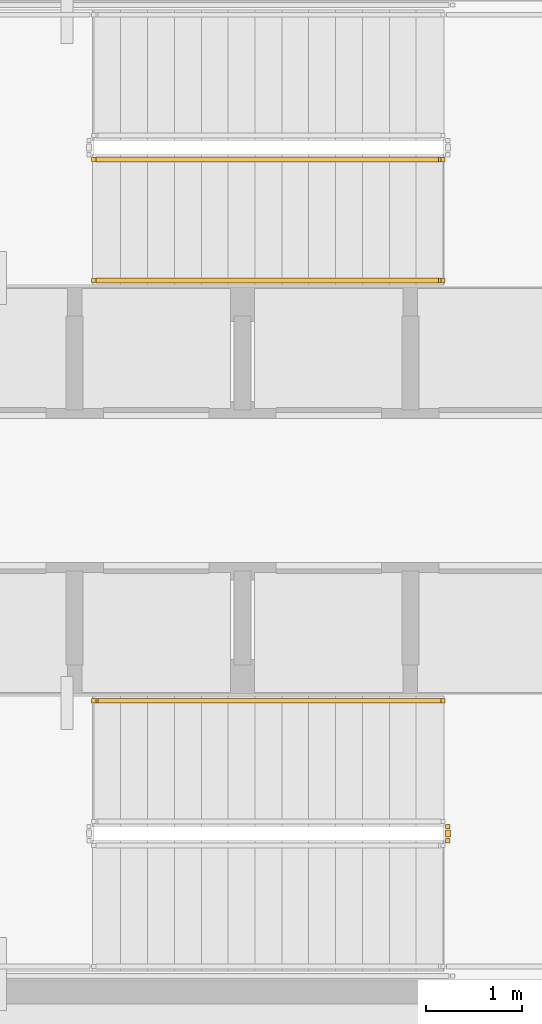
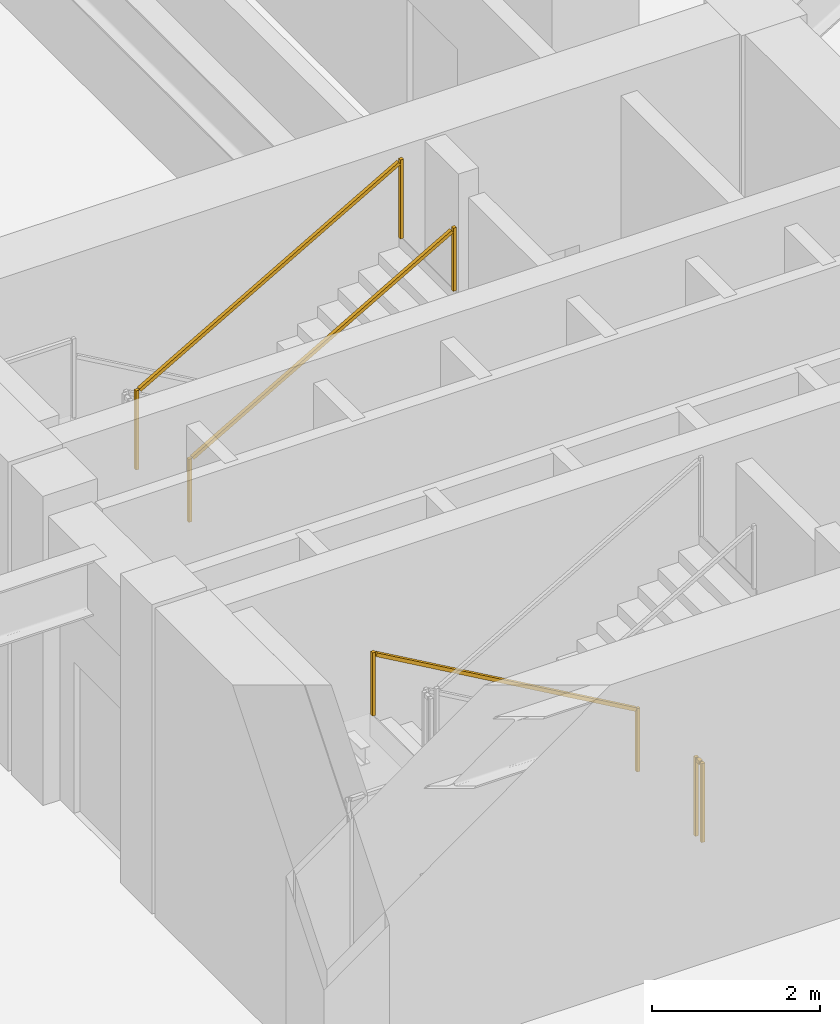
# One storey, part 12 of 18: 4 railings.
"""IFC4 building model written with IfcOpenShell, lengths in metres."""

from ifc_helpers import new_model, si_unit, direction, frame, origin, origin_2d, place, context, subcontext, project, spatial, rectangle, extrude, material, type_object, element, save


model = new_model("IFC4")

# Units and contexts
model_context = context("Model", 3, precision=1e-05, world=origin(), true_north=direction((0.0, 1.0)))
body_context = subcontext(model_context, "Body", "Model", "MODEL_VIEW")
ifc_project = project(units=[si_unit("LENGTHUNIT", "METRE"), si_unit("AREAUNIT", "SQUARE_METRE"), si_unit("VOLUMEUNIT", "CUBIC_METRE"), si_unit("PLANEANGLEUNIT", "RADIAN"), si_unit("MASSUNIT", "GRAM", prefix="KILO")], contexts=[model_context])

# Site, building, storey
site_placement = place(None, origin())
site = spatial("IfcSite", under=ifc_project, at=site_placement, CompositionType="ELEMENT")
building_placement = place(site_placement, origin())
building = spatial("IfcBuilding", under=site, at=building_placement, Name="Yunling Apex Tower", CompositionType="ELEMENT")
storey_placement = place(building_placement, origin())
storey = spatial("IfcBuildingStorey", under=building, at=storey_placement, Name="L01", CompositionType="ELEMENT", Elevation=0.0)

# Railings
ifc_material_1 = material(Name="Steel Q355B", Category="steel")
railing_type_1 = type_object("IfcRailingType", Name="RL-GRD-1150", PredefinedType="GUARDRAIL", material=ifc_material_1)
railing_1_placement = place(storey_placement, frame((-3.64990234375, 3.449951171875, 2.41064453125)))
element("IfcRailing", 1, at=railing_1_placement, inside=storey, type_object=railing_type_1, Name="L01 ST-1 stair guard 4", PredefinedType="GUARDRAIL", context=body_context, shape_type="SweptSolid", body=[
    extrude(rectangle(XDim=0.0439453125, YDim=0.0439453125, at=origin_2d()), origin(), (0.0, 0.0, 1.0), 1.14990234375),
    extrude(rectangle(XDim=0.0439453125, YDim=0.0439453125, at=origin_2d()), frame((3.639892578125, 0.0, 2.08935546875)), (0.0, 0.0, 1.0), 1.14990234375),
    extrude(rectangle(XDim=0.050048828125, YDim=0.050048828125, at=origin_2d()), frame((0.033203125, 0.0, 1.14404296875), z_axis=(0.8672749571, 0.0, 0.497829437445), x_axis=(0.0, 1.0, 0.0)), (0.0, 0.0, 1.0), 4.120361328125),
])
railing_2_placement = place(storey_placement, frame((0.0400390625, -3.5, 0.0)))
element("IfcRailing", 2, at=railing_2_placement, inside=storey, type_object=railing_type_1, Name="L01 ST-2 stair guard 5", PredefinedType="GUARDRAIL", context=body_context, shape_type="SweptSolid", body=[
    extrude(rectangle(XDim=0.0439453125, YDim=0.0439453125, at=origin_2d()), origin(), (0.0, 0.0, 1.0), 1.14990234375),
    extrude(rectangle(XDim=0.0439453125, YDim=0.0439453125, at=origin_2d()), frame((0.0, -0.14990234375, 0.0)), (0.0, 0.0, 1.0), 1.14990234375),
    extrude(rectangle(XDim=0.050048828125, YDim=0.050048828125, at=origin_2d()), frame((0.0, -0.038330078125, 1.125), z_axis=(0.0, -1.0, 0.0), x_axis=(1.0, 0.0, 0.0)), (0.0, 0.0, 1.0), 0.0732421875),
])
ifc_material_2 = material(Name="Silver anodised aluminium", Category="aluminium")
railing_type_2 = type_object("IfcRailingType", Name="RL-HND-900", PredefinedType="HANDRAIL", material=ifc_material_2)
railing_3_placement = place(storey_placement, frame((-3.64990234375, 2.18994140625, 2.41064453125)))
element("IfcRailing", 3, at=railing_3_placement, inside=storey, type_object=railing_type_2, Name="L01 ST-1 stair handrail 2", PredefinedType="HANDRAIL", context=body_context, shape_type="SweptSolid", body=[
    extrude(rectangle(XDim=0.0439453125, YDim=0.0439453125, at=origin_2d()), origin(), (0.0, 0.0, 1.0), 0.919921875),
    extrude(rectangle(XDim=0.0439453125, YDim=0.0439453125, at=origin_2d()), frame((3.639892578125, 0.0, 2.08935546875)), (0.0, 0.0, 1.0), 0.919921875),
    extrude(rectangle(XDim=0.050048828125, YDim=0.050048828125, at=origin_2d()), frame((0.033203125, 0.0, 0.9140625), z_axis=(0.8672749571, 0.0, 0.497829437445), x_axis=(0.0, 1.0, 0.0)), (0.0, 0.0, 1.0), 4.120361328125),
])
railing_4_placement = place(storey_placement, frame((-0.010009765625, -2.18994140625, 0.16064453125)))
element("IfcRailing", 4, at=railing_4_placement, inside=storey, type_object=railing_type_2, Name="L01 ST-2 stair handrail 1", PredefinedType="HANDRAIL", context=body_context, shape_type="SweptSolid", body=[
    extrude(rectangle(XDim=0.0439453125, YDim=0.0439453125, at=origin_2d()), origin(), (0.0, 0.0, 1.0), 0.919921875),
    extrude(rectangle(XDim=0.0439453125, YDim=0.0439453125, at=origin_2d()), frame((-3.639892578125, 0.0, 2.08935546875)), (0.0, 0.0, 1.0), 0.919921875),
    extrude(rectangle(XDim=0.050048828125, YDim=0.050048828125, at=origin_2d()), frame((-0.033203125, 0.0, 0.9140625), z_axis=(-0.8672749571, 0.0, 0.497829437445), x_axis=(0.0, -1.0, 0.0)), (0.0, 0.0, 1.0), 4.120361328125),
])

save(model, "model.ifc")
